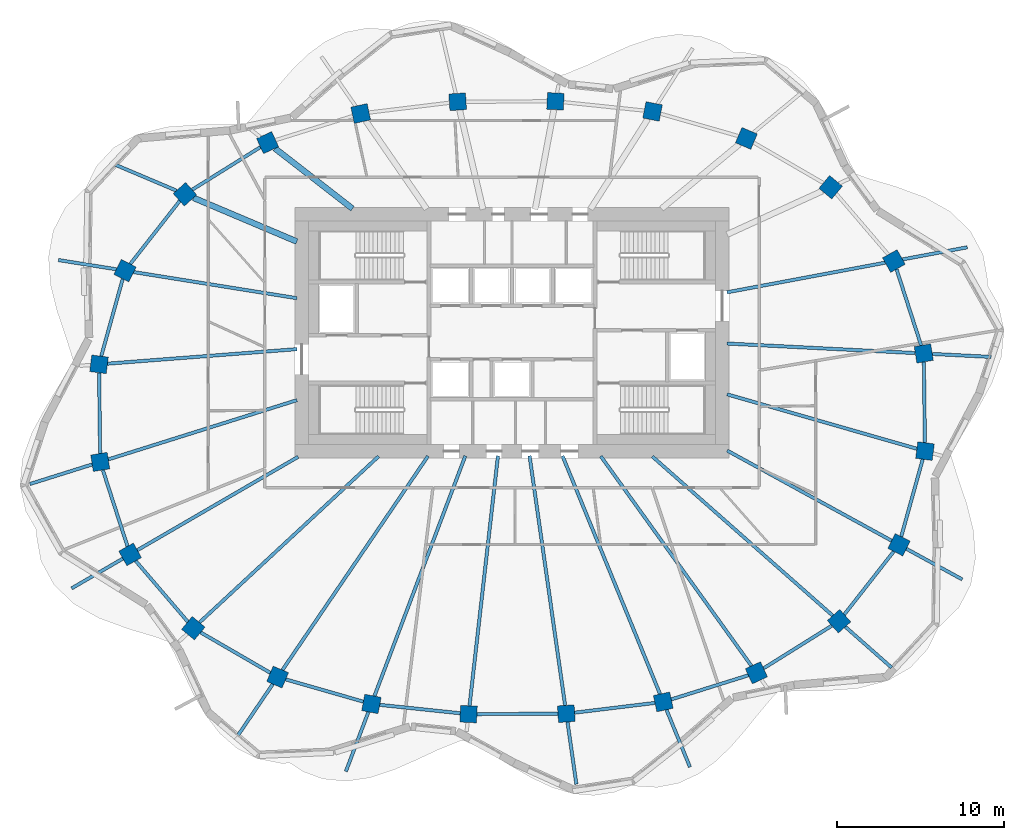
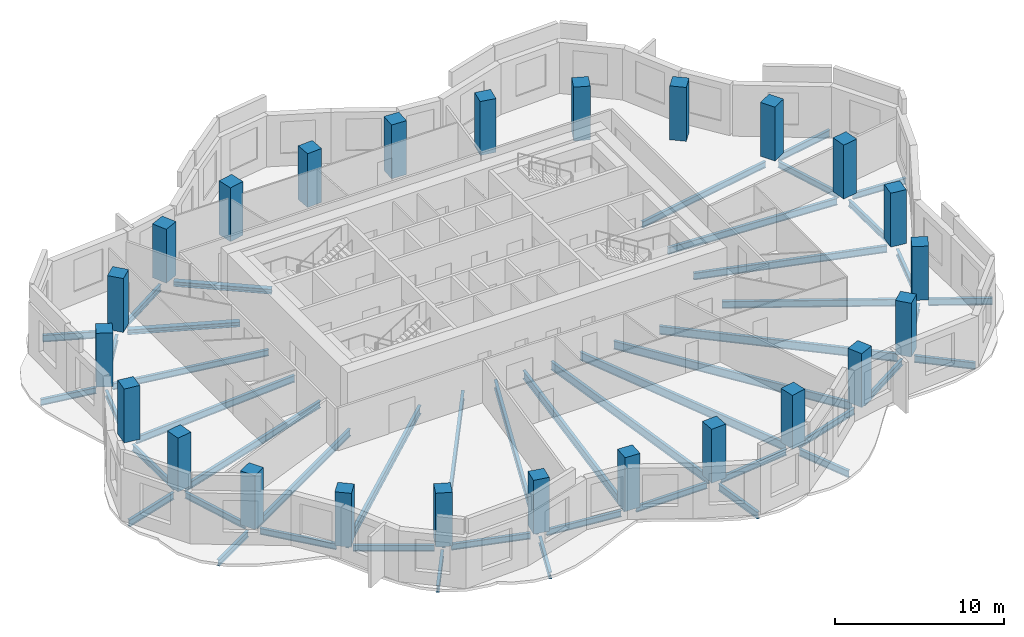
# One storey, part 1 of 9: 47 beams, 24 columns.
"""IFC4 building model written with IfcOpenShell, lengths in metres."""

from ifc_helpers import new_model, si_unit, direction, frame, origin, origin_2d, place, context, subcontext, project, spatial, rectangle, i_section, extrude, material, material_profile, profile_set, type_object, element, save


model = new_model("IFC4")

# Units and contexts
model_context = context("Model", 3, precision=1e-05, world=origin(), true_north=direction((0.0, 1.0)))
body_context = subcontext(model_context, "Body", "Model", "MODEL_VIEW")
ifc_project = project(units=[si_unit("LENGTHUNIT", "METRE"), si_unit("AREAUNIT", "SQUARE_METRE"), si_unit("VOLUMEUNIT", "CUBIC_METRE"), si_unit("PLANEANGLEUNIT", "RADIAN"), si_unit("MASSUNIT", "GRAM", prefix="KILO")], contexts=[model_context])

# Site, building, storey
site_placement = place(None, origin())
site = spatial("IfcSite", under=ifc_project, at=site_placement, CompositionType="ELEMENT")
building_placement = place(site_placement, origin())
building = spatial("IfcBuilding", under=site, at=building_placement, Name="Rubra Terraces Tower", CompositionType="ELEMENT")
storey_placement = place(building_placement, frame((0.0, 0.0, 244.800048828125)))
storey = spatial("IfcBuildingStorey", under=building, at=storey_placement, Name="L60", CompositionType="ELEMENT", Elevation=244.800048828125)

# Columns
ifc_material_1 = material(Name="Concrete C50", Category="concrete")
ifc_material_profile_1 = material_profile(ifc_material_1, rectangle(XDim=1.0, YDim=1.0, at=origin_2d()), Name="RC 1000x1000")
ifc_profile_set_1 = profile_set([ifc_material_profile_1], Name="Concrete C50")
column_type = type_object("IfcColumnType", Name="RING COLUMN RC 1000x1000 C50", PredefinedType="COLUMN", material=ifc_profile_set_1)
for number, where, z_axis, x_axis, name in (
    (1, (24.6689453125, 3.248046875, 0.0), (0.0, 0.0, 1.0), (-0.161559167715, 0.986863027642, 0.0), "column-L60-ring-01"),
    (2, (22.87890625, 8.787109375, 0.0), (0.0, 0.0, 1.0), (-0.48852601316, 0.872549330678, 0.0), "column-L60-ring-02"),
    (3, (19.092041015625, 13.208984375, 0.0), (0.0, 0.0, 1.0), (-0.76886986222, 0.63940529789, 0.0), "column-L60-ring-03"),
    (4, (14.0419921875, 16.135986328125, 0.0), (0.0, 0.0, 1.0), (-0.920167856842, 0.391524092789, 0.0), "column-L60-ring-04"),
    (5, (8.422119140625, 17.7490234375, 0.0), (0.0, 0.0, 1.0), (-0.981654668733, 0.19066754143, 0.0), "column-L60-ring-05"),
    (6, (2.60205078125, 18.35791015625, 0.0), (0.0, 0.0, 1.0), (-0.998764256028, 0.049698700995, 0.0), "column-L60-ring-06"),
    (7, (-3.25390625, 18.330078125, 0.0), (0.0, 0.0, 1.0), (-0.998031548759, -0.062713855578, 0.0), "column-L60-ring-07"),
    (8, (-9.06298828125, 17.625, 0.0), (0.0, 0.0, 1.0), (-0.977652674797, -0.210226657352, 0.0), "column-L60-ring-08"),
    (9, (-14.64306640625, 15.881103515625, 0.0), (0.0, 0.0, 1.0), (-0.908778580451, -0.417278673927, 0.0), "column-L60-ring-09"),
    (10, (-19.593017578125, 12.7900390625, 0.0), (0.0, 0.0, 1.0), (-0.744021317198, -0.668155879683, 0.0), "column-L60-ring-10"),
    (11, (-23.18505859375, 8.2099609375, 0.0), (0.0, 0.0, 1.0), (-0.451027931402, -0.892509834733, 0.0), "column-L60-ring-11"),
    (12, (-24.742919921875, 2.59912109375, 0.0), (0.0, 0.0, 1.0), (-0.128443684554, -0.991716804283, 0.0), "column-L60-ring-12"),
    (13, (-24.6689453125, -3.248046875, 0.0), (0.0, 0.0, 1.0), (0.161559167715, -0.986863027642, 0.0), "column-L60-ring-13"),
    (14, (-22.87890625, -8.787109375, 0.0), (0.0, 0.0, 1.0), (0.48852601316, -0.872549330678, 0.0), "column-L60-ring-14"),
    (15, (-19.092041015625, -13.208984375, 0.0), (0.0, 0.0, 1.0), (0.76886986222, -0.63940529789, 0.0), "column-L60-ring-15"),
    (16, (-14.0419921875, -16.135986328125, 0.0), (0.0, 0.0, 1.0), (0.920167856842, -0.391524092789, 0.0), "column-L60-ring-16"),
    (17, (-8.422119140625, -17.7490234375, 0.0), (0.0, 0.0, 1.0), (0.981654668733, -0.19066754143, 0.0), "column-L60-ring-17"),
    (18, (-2.60205078125, -18.35791015625, 0.0), (0.0, 0.0, 1.0), (0.998764256028, -0.049698700995, 0.0), "column-L60-ring-18"),
    (19, (3.25390625, -18.330078125, 0.0), (0.0, 0.0, 1.0), (0.998031548759, 0.062713855578, 0.0), "column-L60-ring-19"),
    (20, (9.06298828125, -17.625, 0.0), (0.0, 0.0, 1.0), (0.977652674797, 0.210226657352, 0.0), "column-L60-ring-20"),
    (21, (14.64306640625, -15.881103515625, 0.0), (0.0, 0.0, 1.0), (0.908778580451, 0.417278673927, 0.0), "column-L60-ring-21"),
    (22, (19.593017578125, -12.7900390625, 0.0), (0.0, 0.0, 1.0), (0.744021317198, 0.668155879683, 0.0), "column-L60-ring-22"),
    (23, (23.18505859375, -8.2099609375, 0.0), (0.0, 0.0, 1.0), (0.451027931402, 0.892509834733, 0.0), "column-L60-ring-23"),
    (24, (24.742919921875, -2.59912109375, 0.0), (0.0, 0.0, 1.0), (0.128443684554, 0.991716804283, 0.0), "column-L60-ring-24"),
):
    element("IfcColumn", number, at=place(storey_placement, frame(where, z_axis=z_axis, x_axis=x_axis)), inside=storey, type_object=column_type, Name=name, PredefinedType="COLUMN", context=body_context, shape_type="SweptSolid", body=[
        extrude(rectangle(XDim=1.0, YDim=1.0, at=origin_2d()), origin(), (0.0, 0.0, 1.0), 3.89990234375),
    ])

# Beams
ifc_material_2 = material(Name="Steel Q355B", Category="steel")
ifc_material_profile_2 = material_profile(ifc_material_2, i_section(OverallWidth=0.198974609375, OverallDepth=0.446044921875, WebThickness=0.008056640625, FlangeThickness=0.011962890625, at=origin_2d()), Name="HN 446x199x8x12")
ifc_profile_set_2 = profile_set([ifc_material_profile_2], Name="Steel Q355B")
beam_type_1 = type_object("IfcBeamType", Name="CANTILEVER BEAM HN 446x199x8x12", PredefinedType="BEAM", material=ifc_profile_set_2)
beam_1_placement = place(storey_placement, frame((25.179931640625, 3.221923828125, -0.423095703125), z_axis=(0.998718184473, -0.050616084437, 0.0), x_axis=(0.050616084437, 0.998718184473, 0.0)))
element("IfcBeam", 25, at=beam_1_placement, inside=storey, type_object=beam_type_1, Name="beam-L60-cant-01", PredefinedType="BEAM", context=body_context, shape_type="SweptSolid", body=[
    extrude(i_section(OverallWidth=0.198974609375, OverallDepth=0.446044921875, WebThickness=0.008056640625, FlangeThickness=0.011962890625, at=origin_2d()), origin(), (0.0, 0.0, 1.0), 3.53564453125),
])
beam_2_placement = place(storey_placement, frame((-23.702880859375, 8.29296875, -0.423095703125), z_axis=(-0.987460993252, 0.157863190158, 0.0), x_axis=(-0.157863190158, -0.987460993252, 0.0)))
element("IfcBeam", 26, at=beam_2_placement, inside=storey, type_object=beam_type_1, Name="beam-L60-cant-11", PredefinedType="BEAM", context=body_context, shape_type="SweptSolid", body=[
    extrude(i_section(OverallWidth=0.198974609375, OverallDepth=0.446044921875, WebThickness=0.008056640625, FlangeThickness=0.011962890625, at=origin_2d()), origin(), (0.0, 0.0, 1.0), 3.515380859375),
])
beam_3_placement = place(storey_placement, frame((-23.31103515625, -9.0380859375, -0.423095703125), z_axis=(-0.864736046466, -0.50222661214, 0.0), x_axis=(0.50222661214, -0.864736046466, 0.0)))
element("IfcBeam", 27, at=beam_3_placement, inside=storey, type_object=beam_type_1, Name="beam-L60-cant-14", PredefinedType="BEAM", context=body_context, shape_type="SweptSolid", body=[
    extrude(i_section(OverallWidth=0.198974609375, OverallDepth=0.446044921875, WebThickness=0.008056640625, FlangeThickness=0.011962890625, at=origin_2d()), origin(), (0.0, 0.0, 1.0), 3.555908203125),
])
ifc_material_profile_3 = material_profile(ifc_material_2, i_section(OverallWidth=0.198974609375, OverallDepth=0.49609375, WebThickness=0.009033203125, FlangeThickness=0.013916015625, at=origin_2d()), Name="HN 496x199x9x14")
ifc_profile_set_3 = profile_set([ifc_material_profile_3], Name="Steel Q355B")
beam_type_2 = type_object("IfcBeamType", Name="CANTILEVER BEAM HN 496x199x9x14", PredefinedType="BEAM", material=ifc_profile_set_3)
beam_4_placement = place(storey_placement, frame((23.39794921875, 8.884033203125, -0.447998046875), z_axis=(0.982865888577, 0.18432212312, 0.0), x_axis=(-0.18432212312, 0.982865888577, 0.0)))
element("IfcBeam", 28, at=beam_4_placement, inside=storey, type_object=beam_type_2, Name="beam-L60-cant-02", PredefinedType="BEAM", context=body_context, shape_type="SweptSolid", body=[
    extrude(i_section(OverallWidth=0.198974609375, OverallDepth=0.49609375, WebThickness=0.009033203125, FlangeThickness=0.013916015625, at=origin_2d()), origin(), (0.0, 0.0, 1.0), 3.94970703125),
])
beam_5_placement = place(storey_placement, frame((-20.10205078125, 13.0048828125, -0.447998046875), z_axis=(-0.920935678628, 0.389714608181, 0.0), x_axis=(-0.389714608181, -0.920935678628, 0.0)))
element("IfcBeam", 29, at=beam_5_placement, inside=storey, type_object=beam_type_2, Name="beam-L60-cant-10", PredefinedType="BEAM", context=body_context, shape_type="SweptSolid", body=[
    extrude(i_section(OverallWidth=0.198974609375, OverallDepth=0.49609375, WebThickness=0.009033203125, FlangeThickness=0.013916015625, at=origin_2d()), origin(), (0.0, 0.0, 1.0), 3.94921875),
])
beam_6_placement = place(storey_placement, frame((-25.15087890625, -3.39892578125, -0.447998046875), z_axis=(-0.954029392864, -0.299713058693, 0.0), x_axis=(0.299713058693, -0.954029392864, 0.0)))
element("IfcBeam", 30, at=beam_6_placement, inside=storey, type_object=beam_type_2, Name="beam-L60-cant-13", PredefinedType="BEAM", context=body_context, shape_type="SweptSolid", body=[
    extrude(i_section(OverallWidth=0.198974609375, OverallDepth=0.49609375, WebThickness=0.009033203125, FlangeThickness=0.013916015625, at=origin_2d()), origin(), (0.0, 0.0, 1.0), 3.9140625),
])
beam_7_placement = place(storey_placement, frame((-14.3291015625, -16.556884765625, -0.447998046875), z_axis=(-0.562402665117, -0.826863496757, 0.0), x_axis=(0.826863496757, -0.562402665117, 0.0)))
element("IfcBeam", 31, at=beam_7_placement, inside=storey, type_object=beam_type_2, Name="beam-L60-cant-16", PredefinedType="BEAM", context=body_context, shape_type="SweptSolid", body=[
    extrude(i_section(OverallWidth=0.198974609375, OverallDepth=0.49609375, WebThickness=0.009033203125, FlangeThickness=0.013916015625, at=origin_2d()), origin(), (0.0, 0.0, 1.0), 3.748046875),
])
beam_8_placement = place(storey_placement, frame((-8.60205078125, -18.222900390625, -0.447998046875), z_axis=(-0.353975284334, -0.935254777096, 0.0), x_axis=(0.935254777096, -0.353975284334, 0.0)))
element("IfcBeam", 32, at=beam_8_placement, inside=storey, type_object=beam_type_2, Name="beam-L60-cant-17", PredefinedType="BEAM", context=body_context, shape_type="SweptSolid", body=[
    extrude(i_section(OverallWidth=0.198974609375, OverallDepth=0.49609375, WebThickness=0.009033203125, FlangeThickness=0.013916015625, at=origin_2d()), origin(), (0.0, 0.0, 1.0), 3.816162109375),
])
beam_9_placement = place(storey_placement, frame((3.324951171875, -18.826904296875, -0.447998046875), z_axis=(0.140976698225, -0.990012914339, 0.0), x_axis=(0.990012914339, 0.140976698225, 0.0)))
element("IfcBeam", 33, at=beam_9_placement, inside=storey, type_object=beam_type_2, Name="beam-L60-cant-19", PredefinedType="BEAM", context=body_context, shape_type="SweptSolid", body=[
    extrude(i_section(OverallWidth=0.198974609375, OverallDepth=0.49609375, WebThickness=0.009033203125, FlangeThickness=0.013916015625, at=origin_2d()), origin(), (0.0, 0.0, 1.0), 3.7666015625),
])
beam_10_placement = place(storey_placement, frame((9.256103515625, -18.094970703125, -0.447998046875), z_axis=(0.378876573118, -0.925447212078, 0.0), x_axis=(0.925447212078, 0.378876573118, 0.0)))
element("IfcBeam", 34, at=beam_10_placement, inside=storey, type_object=beam_type_2, Name="beam-L60-cant-20", PredefinedType="BEAM", context=body_context, shape_type="SweptSolid", body=[
    extrude(i_section(OverallWidth=0.198974609375, OverallDepth=0.49609375, WebThickness=0.009033203125, FlangeThickness=0.013916015625, at=origin_2d()), origin(), (0.0, 0.0, 1.0), 3.705078125),
])
beam_11_placement = place(storey_placement, frame((19.969970703125, -13.123046875, -0.447998046875), z_axis=(0.749812800921, -0.66165003104, 0.0), x_axis=(0.66165003104, 0.749812800921, 0.0)))
element("IfcBeam", 35, at=beam_11_placement, inside=storey, type_object=beam_type_2, Name="beam-L60-cant-22", PredefinedType="BEAM", context=body_context, shape_type="SweptSolid", body=[
    extrude(i_section(OverallWidth=0.198974609375, OverallDepth=0.49609375, WebThickness=0.009033203125, FlangeThickness=0.013916015625, at=origin_2d()), origin(), (0.0, 0.0, 1.0), 3.69677734375),
])
beam_12_placement = place(storey_placement, frame((23.6240234375, -8.449951171875, -0.447998046875), z_axis=(0.876754126766, -0.480938874701, 0.0), x_axis=(0.480938874701, 0.876754126766, 0.0)))
element("IfcBeam", 36, at=beam_12_placement, inside=storey, type_object=beam_type_2, Name="beam-L60-cant-23", PredefinedType="BEAM", context=body_context, shape_type="SweptSolid", body=[
    extrude(i_section(OverallWidth=0.198974609375, OverallDepth=0.49609375, WebThickness=0.009033203125, FlangeThickness=0.013916015625, at=origin_2d()), origin(), (0.0, 0.0, 1.0), 3.8173828125),
])
ifc_material_profile_4 = material_profile(ifc_material_2, i_section(OverallWidth=0.198974609375, OverallDepth=0.446044921875, WebThickness=0.008056640625, FlangeThickness=0.011962890625, at=origin_2d()), Name="HN 446x199x8x12")
ifc_profile_set_4 = profile_set([ifc_material_profile_4], Name="Steel Q355B")
beam_type_3 = type_object("IfcBeamType", Name="FLOOR BEAM HN 446x199x8x12", PredefinedType="BEAM", material=ifc_profile_set_4)
beam_13_placement = place(storey_placement, frame((22.360107421875, 8.68994140625, -0.423095703125), z_axis=(-0.982895681695, -0.18416318553, 0.0), x_axis=(0.18416318553, -0.982895681695, 0.0)))
element("IfcBeam", 37, at=beam_13_placement, inside=storey, type_object=beam_type_3, Name="beam-L60-floor-02", PredefinedType="BEAM", context=body_context, shape_type="SweptSolid", body=[
    extrude(i_section(OverallWidth=0.198974609375, OverallDepth=0.446044921875, WebThickness=0.008056640625, FlangeThickness=0.011962890625, at=origin_2d()), origin(), (0.0, 0.0, 1.0), 9.64306640625),
])
beam_14_placement = place(storey_placement, frame((-22.6669921875, 8.126953125, -0.423095703125), z_axis=(0.987435404133, -0.158023171289, 0.0), x_axis=(0.158023171289, 0.987435404133, 0.0)))
element("IfcBeam", 38, at=beam_14_placement, inside=storey, type_object=beam_type_3, Name="beam-L60-floor-11", PredefinedType="BEAM", context=body_context, shape_type="SweptSolid", body=[
    extrude(i_section(OverallWidth=0.198974609375, OverallDepth=0.446044921875, WebThickness=0.008056640625, FlangeThickness=0.011962890625, at=origin_2d()), origin(), (0.0, 0.0, 1.0), 9.909423828125),
])
ifc_material_profile_5 = material_profile(ifc_material_2, i_section(OverallWidth=0.198974609375, OverallDepth=0.49609375, WebThickness=0.009033203125, FlangeThickness=0.013916015625, at=origin_2d()), Name="HN 496x199x9x14")
ifc_profile_set_5 = profile_set([ifc_material_profile_5], Name="Steel Q355B")
beam_type_4 = type_object("IfcBeamType", Name="FLOOR BEAM HN 496x199x9x14", PredefinedType="BEAM", material=ifc_profile_set_5)
beam_15_placement = place(storey_placement, frame((24.157958984375, 3.27392578125, -0.447998046875), z_axis=(-0.998716228561, 0.050654662269, 0.0), x_axis=(-0.050654662269, -0.998716228561, 0.0)))
element("IfcBeam", 39, at=beam_15_placement, inside=storey, type_object=beam_type_4, Name="beam-L60-floor-01", PredefinedType="BEAM", context=body_context, shape_type="SweptSolid", body=[
    extrude(i_section(OverallWidth=0.198974609375, OverallDepth=0.49609375, WebThickness=0.009033203125, FlangeThickness=0.013916015625, at=origin_2d()), origin(), (0.0, 0.0, 1.0), 11.29248046875),
])
beam_16_placement = place(storey_placement, frame((-24.23388671875, 2.637939453125, -0.447998046875), z_axis=(0.997063306908, 0.076581734234, 0.0), x_axis=(-0.076581734234, 0.997063306908, 0.0)))
element("IfcBeam", 40, at=beam_16_placement, inside=storey, type_object=beam_type_4, Name="beam-L60-floor-12", PredefinedType="BEAM", context=body_context, shape_type="SweptSolid", body=[
    extrude(i_section(OverallWidth=0.198974609375, OverallDepth=0.49609375, WebThickness=0.009033203125, FlangeThickness=0.013916015625, at=origin_2d()), origin(), (0.0, 0.0, 1.0), 11.387451171875),
])
beam_17_placement = place(storey_placement, frame((-24.18701171875, -3.096923828125, -0.447998046875), z_axis=(0.954040699023, 0.299677067204, 0.0), x_axis=(-0.299677067204, 0.954040699023, 0.0)))
element("IfcBeam", 41, at=beam_17_placement, inside=storey, type_object=beam_type_4, Name="beam-L60-floor-13", PredefinedType="BEAM", context=body_context, shape_type="SweptSolid", body=[
    extrude(i_section(OverallWidth=0.198974609375, OverallDepth=0.49609375, WebThickness=0.009033203125, FlangeThickness=0.013916015625, at=origin_2d()), origin(), (0.0, 0.0, 1.0), 11.845458984375),
])
beam_18_placement = place(storey_placement, frame((-22.447021484375, -8.535888671875, -0.447998046875), z_axis=(0.864755491844, 0.502193129508, 0.0), x_axis=(-0.502193129508, 0.864755491844, 0.0)))
element("IfcBeam", 42, at=beam_18_placement, inside=storey, type_object=beam_type_4, Name="beam-L60-floor-14", PredefinedType="BEAM", context=body_context, shape_type="SweptSolid", body=[
    extrude(i_section(OverallWidth=0.198974609375, OverallDepth=0.49609375, WebThickness=0.009033203125, FlangeThickness=0.013916015625, at=origin_2d()), origin(), (0.0, 0.0, 1.0), 11.14306640625),
])
beam_19_placement = place(storey_placement, frame((22.74609375, -7.969970703125, -0.447998046875), z_axis=(-0.876862055903, 0.480742066932, 0.0), x_axis=(-0.480742066932, -0.876862055903, 0.0)))
element("IfcBeam", 43, at=beam_19_placement, inside=storey, type_object=beam_type_4, Name="beam-L60-floor-23", PredefinedType="BEAM", context=body_context, shape_type="SweptSolid", body=[
    extrude(i_section(OverallWidth=0.198974609375, OverallDepth=0.49609375, WebThickness=0.009033203125, FlangeThickness=0.013916015625, at=origin_2d()), origin(), (0.0, 0.0, 1.0), 11.234375),
])
beam_20_placement = place(storey_placement, frame((24.257080078125, -2.4599609375, -0.447998046875), z_axis=(-0.961215754667, 0.275797521707, 0.0), x_axis=(-0.275797521707, -0.961215754667, 0.0)))
element("IfcBeam", 44, at=beam_20_placement, inside=storey, type_object=beam_type_4, Name="beam-L60-floor-24", PredefinedType="BEAM", context=body_context, shape_type="SweptSolid", body=[
    extrude(i_section(OverallWidth=0.198974609375, OverallDepth=0.49609375, WebThickness=0.009033203125, FlangeThickness=0.013916015625, at=origin_2d()), origin(), (0.0, 0.0, 1.0), 11.830810546875),
])
ifc_material_profile_6 = material_profile(ifc_material_2, i_section(OverallWidth=0.198974609375, OverallDepth=0.595947265625, WebThickness=0.010009765625, FlangeThickness=0.014892578125, at=origin_2d()), Name="HN 596x199x10x15")
ifc_profile_set_6 = profile_set([ifc_material_profile_6], Name="Steel Q355B")
beam_type_5 = type_object("IfcBeamType", Name="FLOOR BEAM HN 596x199x10x15", PredefinedType="BEAM", material=ifc_profile_set_6)
beam_21_placement = place(storey_placement, frame((-18.721923828125, -12.865966796875, -0.498046875), z_axis=(0.733130458484, 0.680088031687, 0.0), x_axis=(-0.680088031687, 0.733130458484, 0.0)))
element("IfcBeam", 45, at=beam_21_placement, inside=storey, type_object=beam_type_5, Name="beam-L60-floor-15", PredefinedType="BEAM", context=body_context, shape_type="SweptSolid", body=[
    extrude(i_section(OverallWidth=0.198974609375, OverallDepth=0.595947265625, WebThickness=0.010009765625, FlangeThickness=0.014892578125, at=origin_2d()), origin(), (0.0, 0.0, 1.0), 14.62744140625),
])
beam_22_placement = place(storey_placement, frame((-13.7548828125, -15.715087890625, -0.498046875), z_axis=(0.562545242124, 0.826766503049, 0.0), x_axis=(-0.826766503049, 0.562545242124, 0.0)))
element("IfcBeam", 46, at=beam_22_placement, inside=storey, type_object=beam_type_5, Name="beam-L60-floor-16", PredefinedType="BEAM", context=body_context, shape_type="SweptSolid", body=[
    extrude(i_section(OverallWidth=0.198974609375, OverallDepth=0.595947265625, WebThickness=0.010009765625, FlangeThickness=0.014892578125, at=origin_2d()), origin(), (0.0, 0.0, 1.0), 15.499267578125),
])
beam_23_placement = place(storey_placement, frame((-8.241943359375, -17.27490234375, -0.498046875), z_axis=(0.353955134415, 0.93526240319, 0.0), x_axis=(-0.93526240319, 0.353955134415, 0.0)))
element("IfcBeam", 47, at=beam_23_placement, inside=storey, type_object=beam_type_5, Name="beam-L60-floor-17", PredefinedType="BEAM", context=body_context, shape_type="SweptSolid", body=[
    extrude(i_section(OverallWidth=0.198974609375, OverallDepth=0.595947265625, WebThickness=0.010009765625, FlangeThickness=0.014892578125, at=origin_2d()), origin(), (0.0, 0.0, 1.0), 15.3828125),
])
beam_24_placement = place(storey_placement, frame((-2.544921875, -17.860107421875, -0.498046875), z_axis=(0.113084825914, 0.993585337124, 0.0), x_axis=(-0.993585337124, 0.113084825914, 0.0)))
element("IfcBeam", 48, at=beam_24_placement, inside=storey, type_object=beam_type_5, Name="beam-L60-floor-18", PredefinedType="BEAM", context=body_context, shape_type="SweptSolid", body=[
    extrude(i_section(OverallWidth=0.198974609375, OverallDepth=0.595947265625, WebThickness=0.010009765625, FlangeThickness=0.014892578125, at=origin_2d()), origin(), (0.0, 0.0, 1.0), 15.07568359375),
])
beam_25_placement = place(storey_placement, frame((3.18310546875, -17.8330078125, -0.498046875), z_axis=(-0.141104514479, 0.989994705033, 0.0), x_axis=(-0.989994705033, -0.141104514479, 0.0)))
element("IfcBeam", 49, at=beam_25_placement, inside=storey, type_object=beam_type_5, Name="beam-L60-floor-19", PredefinedType="BEAM", context=body_context, shape_type="SweptSolid", body=[
    extrude(i_section(OverallWidth=0.198974609375, OverallDepth=0.595947265625, WebThickness=0.010009765625, FlangeThickness=0.014892578125, at=origin_2d()), origin(), (0.0, 0.0, 1.0), 15.10302734375),
])
beam_26_placement = place(storey_placement, frame((8.8701171875, -17.155029296875, -0.498046875), z_axis=(-0.379015131933, 0.925390474214, 0.0), x_axis=(-0.925390474214, -0.379015131933, 0.0)))
element("IfcBeam", 50, at=beam_26_placement, inside=storey, type_object=beam_type_5, Name="beam-L60-floor-20", PredefinedType="BEAM", context=body_context, shape_type="SweptSolid", body=[
    extrude(i_section(OverallWidth=0.198974609375, OverallDepth=0.595947265625, WebThickness=0.010009765625, FlangeThickness=0.014892578125, at=origin_2d()), origin(), (0.0, 0.0, 1.0), 15.416259765625),
])
beam_27_placement = place(storey_placement, frame((14.345947265625, -15.467041015625, -0.498046875), z_axis=(-0.583528740197, 0.812092488183, 0.0), x_axis=(-0.812092488183, -0.583528740197, 0.0)))
element("IfcBeam", 51, at=beam_27_placement, inside=storey, type_object=beam_type_5, Name="beam-L60-floor-21", PredefinedType="BEAM", context=body_context, shape_type="SweptSolid", body=[
    extrude(i_section(OverallWidth=0.198974609375, OverallDepth=0.595947265625, WebThickness=0.010009765625, FlangeThickness=0.014892578125, at=origin_2d()), origin(), (0.0, 0.0, 1.0), 15.47119140625),
])
beam_28_placement = place(storey_placement, frame((19.216064453125, -12.45703125, -0.498046875), z_axis=(-0.749823025288, 0.661638444128, 0.0), x_axis=(-0.661638444128, -0.749823025288, 0.0)))
element("IfcBeam", 52, at=beam_28_placement, inside=storey, type_object=beam_type_5, Name="beam-L60-floor-22", PredefinedType="BEAM", context=body_context, shape_type="SweptSolid", body=[
    extrude(i_section(OverallWidth=0.198974609375, OverallDepth=0.595947265625, WebThickness=0.010009765625, FlangeThickness=0.014892578125, at=origin_2d()), origin(), (0.0, 0.0, 1.0), 14.412841796875),
])
ifc_material_profile_7 = material_profile(ifc_material_2, i_section(OverallWidth=0.35009765625, OverallDepth=0.35009765625, WebThickness=0.011962890625, FlangeThickness=0.01904296875, at=origin_2d()), Name="HW 350x350x12x19")
ifc_profile_set_7 = profile_set([ifc_material_profile_7], Name="Steel Q355B")
beam_type_6 = type_object("IfcBeamType", Name="FLOOR BEAM HW 350x350x12x19", PredefinedType="BEAM", material=ifc_profile_set_7)
beam_29_placement = place(storey_placement, frame((-14.197998046875, 15.534912109375, -0.375), z_axis=(0.789548898228, -0.613687654517, 0.0), x_axis=(0.613687654517, 0.789548898228, 0.0)))
element("IfcBeam", 53, at=beam_29_placement, inside=storey, type_object=beam_type_6, Name="beam-L60-floor-09", PredefinedType="BEAM", context=body_context, shape_type="SweptSolid", body=[
    extrude(i_section(OverallWidth=0.35009765625, OverallDepth=0.35009765625, WebThickness=0.011962890625, FlangeThickness=0.01904296875, at=origin_2d()), origin(), (0.0, 0.0, 1.0), 5.880615234375),
])
beam_30_placement = place(storey_placement, frame((-19.083984375, 12.574951171875, -0.375), z_axis=(0.92097476483, -0.38962223056, 0.0), x_axis=(0.38962223056, 0.92097476483, 0.0)))
element("IfcBeam", 54, at=beam_30_placement, inside=storey, type_object=beam_type_6, Name="beam-L60-floor-10", PredefinedType="BEAM", context=body_context, shape_type="SweptSolid", body=[
    extrude(i_section(OverallWidth=0.35009765625, OverallDepth=0.35009765625, WebThickness=0.011962890625, FlangeThickness=0.01904296875, at=origin_2d()), origin(), (0.0, 0.0, 1.0), 6.7265625),
])
ifc_material_profile_8 = material_profile(ifc_material_2, i_section(OverallWidth=0.198974609375, OverallDepth=0.446044921875, WebThickness=0.008056640625, FlangeThickness=0.011962890625, at=origin_2d()), Name="HN 446x199x8x12")
ifc_profile_set_8 = profile_set([ifc_material_profile_8], Name="Steel Q355B")
beam_type_7 = type_object("IfcBeamType", Name="SPANDREL BEAM HN 446x199x8x12", PredefinedType="SPANDREL", material=ifc_profile_set_8)
beam_31_placement = place(storey_placement, frame((24.512939453125, 3.72900390625, -0.423095703125), z_axis=(-0.307359002872, 0.951593633519, 0.0), x_axis=(-0.951593633519, -0.307359002872, 0.0)))
element("IfcBeam", 55, at=beam_31_placement, inside=storey, type_object=beam_type_7, Name="beam-L60-spandrel-01", PredefinedType="SPANDREL", context=body_context, shape_type="SweptSolid", body=[
    extrude(i_section(OverallWidth=0.198974609375, OverallDepth=0.446044921875, WebThickness=0.008056640625, FlangeThickness=0.011962890625, at=origin_2d()), origin(), (0.0, 0.0, 1.0), 4.8056640625),
])
beam_32_placement = place(storey_placement, frame((-15.071044921875, 15.614013671875, -0.423095703125), z_axis=(-0.848183088492, -0.529703170083, 0.0), x_axis=(0.529703170083, -0.848183088492, 0.0)))
element("IfcBeam", 56, at=beam_32_placement, inside=storey, type_object=beam_type_7, Name="beam-L60-spandrel-09", PredefinedType="SPANDREL", context=body_context, shape_type="SweptSolid", body=[
    extrude(i_section(OverallWidth=0.198974609375, OverallDepth=0.446044921875, WebThickness=0.008056640625, FlangeThickness=0.011962890625, at=origin_2d()), origin(), (0.0, 0.0, 1.0), 4.8232421875),
])
beam_33_placement = place(storey_placement, frame((-19.906005859375, 12.39111328125, -0.423095703125), z_axis=(-0.617060338015, -0.786915840004, 0.0), x_axis=(0.786915840004, -0.617060338015, 0.0)))
element("IfcBeam", 57, at=beam_33_placement, inside=storey, type_object=beam_type_7, Name="beam-L60-spandrel-10", PredefinedType="SPANDREL", context=body_context, shape_type="SweptSolid", body=[
    extrude(i_section(OverallWidth=0.198974609375, OverallDepth=0.446044921875, WebThickness=0.008056640625, FlangeThickness=0.011962890625, at=origin_2d()), origin(), (0.0, 0.0, 1.0), 4.8037109375),
])
beam_34_placement = place(storey_placement, frame((-23.321044921875, 7.718994140625, -0.423095703125), z_axis=(-0.267625533012, -0.963523001324, 0.0), x_axis=(0.963523001324, -0.267625533012, 0.0)))
element("IfcBeam", 58, at=beam_34_placement, inside=storey, type_object=beam_type_7, Name="beam-L60-spandrel-11", PredefinedType="SPANDREL", context=body_context, shape_type="SweptSolid", body=[
    extrude(i_section(OverallWidth=0.198974609375, OverallDepth=0.446044921875, WebThickness=0.008056640625, FlangeThickness=0.011962890625, at=origin_2d()), origin(), (0.0, 0.0, 1.0), 4.808349609375),
])
beam_35_placement = place(storey_placement, frame((-24.737060546875, 2.093994140625, -0.423095703125), z_axis=(0.012822047643, -0.999917794168, 0.0), x_axis=(0.999917794168, 0.012822047643, 0.0)))
element("IfcBeam", 59, at=beam_35_placement, inside=storey, type_object=beam_type_7, Name="beam-L60-spandrel-12", PredefinedType="SPANDREL", context=body_context, shape_type="SweptSolid", body=[
    extrude(i_section(OverallWidth=0.198974609375, OverallDepth=0.446044921875, WebThickness=0.008056640625, FlangeThickness=0.011962890625, at=origin_2d()), origin(), (0.0, 0.0, 1.0), 4.83642578125),
])
beam_36_placement = place(storey_placement, frame((-24.512939453125, -3.72900390625, -0.423095703125), z_axis=(0.307359002872, -0.951593633519, 0.0), x_axis=(0.951593633519, 0.307359002872, 0.0)))
element("IfcBeam", 60, at=beam_36_placement, inside=storey, type_object=beam_type_7, Name="beam-L60-spandrel-13", PredefinedType="SPANDREL", context=body_context, shape_type="SweptSolid", body=[
    extrude(i_section(OverallWidth=0.198974609375, OverallDepth=0.446044921875, WebThickness=0.008056640625, FlangeThickness=0.011962890625, at=origin_2d()), origin(), (0.0, 0.0, 1.0), 4.8056640625),
])
beam_37_placement = place(storey_placement, frame((-22.547119140625, -9.174072265625, -0.423095703125), z_axis=(0.650372836218, -0.759615148552, 0.0), x_axis=(0.759615148552, 0.650372836218, 0.0)))
element("IfcBeam", 61, at=beam_37_placement, inside=storey, type_object=beam_type_7, Name="beam-L60-spandrel-14", PredefinedType="SPANDREL", context=body_context, shape_type="SweptSolid", body=[
    extrude(i_section(OverallWidth=0.198974609375, OverallDepth=0.446044921875, WebThickness=0.008056640625, FlangeThickness=0.011962890625, at=origin_2d()), origin(), (0.0, 0.0, 1.0), 4.804931640625),
])
beam_38_placement = place(storey_placement, frame((-18.653076171875, -13.462890625, -0.423095703125), z_axis=(0.865153680787, -0.501506838059, 0.0), x_axis=(0.501506838059, 0.865153680787, 0.0)))
element("IfcBeam", 62, at=beam_38_placement, inside=storey, type_object=beam_type_7, Name="beam-L60-spandrel-15", PredefinedType="SPANDREL", context=body_context, shape_type="SweptSolid", body=[
    extrude(i_section(OverallWidth=0.198974609375, OverallDepth=0.446044921875, WebThickness=0.008056640625, FlangeThickness=0.011962890625, at=origin_2d()), origin(), (0.0, 0.0, 1.0), 4.82568359375),
])
beam_39_placement = place(storey_placement, frame((-13.55810546875, -16.27490234375, -0.423095703125), z_axis=(0.961171164323, -0.275952881621, 0.0), x_axis=(0.275952881621, 0.961171164323, 0.0)))
element("IfcBeam", 63, at=beam_39_placement, inside=storey, type_object=beam_type_7, Name="beam-L60-spandrel-16", PredefinedType="SPANDREL", context=body_context, shape_type="SweptSolid", body=[
    extrude(i_section(OverallWidth=0.198974609375, OverallDepth=0.446044921875, WebThickness=0.008056640625, FlangeThickness=0.011962890625, at=origin_2d()), origin(), (0.0, 0.0, 1.0), 4.842041015625),
])
beam_40_placement = place(storey_placement, frame((-7.923095703125, -17.801025390625, -0.423095703125), z_axis=(0.994565426955, -0.104113454971, 0.0), x_axis=(0.104113454971, 0.994565426955, 0.0)))
element("IfcBeam", 64, at=beam_40_placement, inside=storey, type_object=beam_type_7, Name="beam-L60-spandrel-17", PredefinedType="SPANDREL", context=body_context, shape_type="SweptSolid", body=[
    extrude(i_section(OverallWidth=0.198974609375, OverallDepth=0.446044921875, WebThickness=0.008056640625, FlangeThickness=0.011962890625, at=origin_2d()), origin(), (0.0, 0.0, 1.0), 4.849365234375),
])
beam_41_placement = place(storey_placement, frame((-2.10107421875, -18.35595703125, -0.423095703125), z_axis=(0.999987852299, 0.004929021704, 0.0), x_axis=(-0.004929021704, 0.999987852299, 0.0)))
element("IfcBeam", 65, at=beam_41_placement, inside=storey, type_object=beam_type_7, Name="beam-L60-spandrel-18", PredefinedType="SPANDREL", context=body_context, shape_type="SweptSolid", body=[
    extrude(i_section(OverallWidth=0.198974609375, OverallDepth=0.446044921875, WebThickness=0.008056640625, FlangeThickness=0.011962890625, at=origin_2d()), origin(), (0.0, 0.0, 1.0), 4.85400390625),
])
beam_42_placement = place(storey_placement, frame((3.7509765625, -18.27001953125, -0.423095703125), z_axis=(0.992698018573, 0.120626049929, 0.0), x_axis=(-0.120626049929, 0.992698018573, 0.0)))
element("IfcBeam", 66, at=beam_42_placement, inside=storey, type_object=beam_type_7, Name="beam-L60-spandrel-19", PredefinedType="SPANDREL", context=body_context, shape_type="SweptSolid", body=[
    extrude(i_section(OverallWidth=0.198974609375, OverallDepth=0.446044921875, WebThickness=0.008056640625, FlangeThickness=0.011962890625, at=origin_2d()), origin(), (0.0, 0.0, 1.0), 4.849365234375),
])
beam_43_placement = place(storey_placement, frame((9.5419921875, -17.47509765625, -0.423095703125), z_axis=(0.954462027342, 0.298332429282, 0.0), x_axis=(-0.298332429282, 0.954462027342, 0.0)))
element("IfcBeam", 67, at=beam_43_placement, inside=storey, type_object=beam_type_7, Name="beam-L60-spandrel-20", PredefinedType="SPANDREL", context=body_context, shape_type="SweptSolid", body=[
    extrude(i_section(OverallWidth=0.198974609375, OverallDepth=0.446044921875, WebThickness=0.008056640625, FlangeThickness=0.011962890625, at=origin_2d()), origin(), (0.0, 0.0, 1.0), 4.840576171875),
])
beam_44_placement = place(storey_placement, frame((15.071044921875, -15.614013671875, -0.423095703125), z_axis=(0.848183088492, 0.529703170083, 0.0), x_axis=(-0.529703170083, 0.848183088492, 0.0)))
element("IfcBeam", 68, at=beam_44_placement, inside=storey, type_object=beam_type_7, Name="beam-L60-spandrel-21", PredefinedType="SPANDREL", context=body_context, shape_type="SweptSolid", body=[
    extrude(i_section(OverallWidth=0.198974609375, OverallDepth=0.446044921875, WebThickness=0.008056640625, FlangeThickness=0.011962890625, at=origin_2d()), origin(), (0.0, 0.0, 1.0), 4.8232421875),
])
beam_45_placement = place(storey_placement, frame((19.906005859375, -12.39111328125, -0.423095703125), z_axis=(0.617060338015, 0.786915840004, 0.0), x_axis=(-0.786915840004, 0.617060338015, 0.0)))
element("IfcBeam", 69, at=beam_45_placement, inside=storey, type_object=beam_type_7, Name="beam-L60-spandrel-22", PredefinedType="SPANDREL", context=body_context, shape_type="SweptSolid", body=[
    extrude(i_section(OverallWidth=0.198974609375, OverallDepth=0.446044921875, WebThickness=0.008056640625, FlangeThickness=0.011962890625, at=origin_2d()), origin(), (0.0, 0.0, 1.0), 4.8037109375),
])
beam_46_placement = place(storey_placement, frame((23.321044921875, -7.718994140625, -0.423095703125), z_axis=(0.267625533012, 0.963523001324, 0.0), x_axis=(-0.963523001324, 0.267625533012, 0.0)))
element("IfcBeam", 70, at=beam_46_placement, inside=storey, type_object=beam_type_7, Name="beam-L60-spandrel-23", PredefinedType="SPANDREL", context=body_context, shape_type="SweptSolid", body=[
    extrude(i_section(OverallWidth=0.198974609375, OverallDepth=0.446044921875, WebThickness=0.008056640625, FlangeThickness=0.011962890625, at=origin_2d()), origin(), (0.0, 0.0, 1.0), 4.808349609375),
])
beam_47_placement = place(storey_placement, frame((24.737060546875, -2.093994140625, -0.423095703125), z_axis=(-0.012822047643, 0.999917794168, 0.0), x_axis=(-0.999917794168, -0.012822047643, 0.0)))
element("IfcBeam", 71, at=beam_47_placement, inside=storey, type_object=beam_type_7, Name="beam-L60-spandrel-24", PredefinedType="SPANDREL", context=body_context, shape_type="SweptSolid", body=[
    extrude(i_section(OverallWidth=0.198974609375, OverallDepth=0.446044921875, WebThickness=0.008056640625, FlangeThickness=0.011962890625, at=origin_2d()), origin(), (0.0, 0.0, 1.0), 4.83642578125),
])

save(model, "model.ifc")
